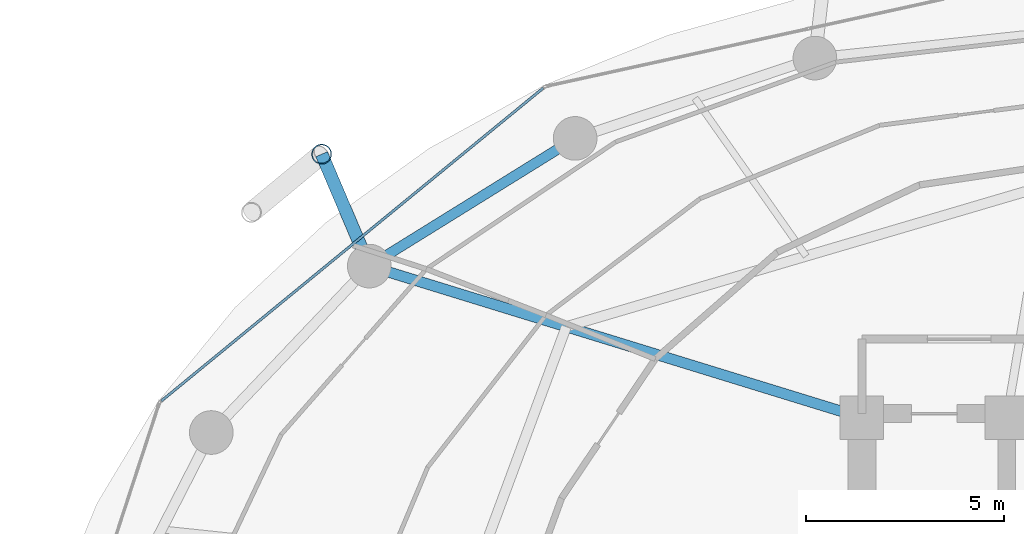
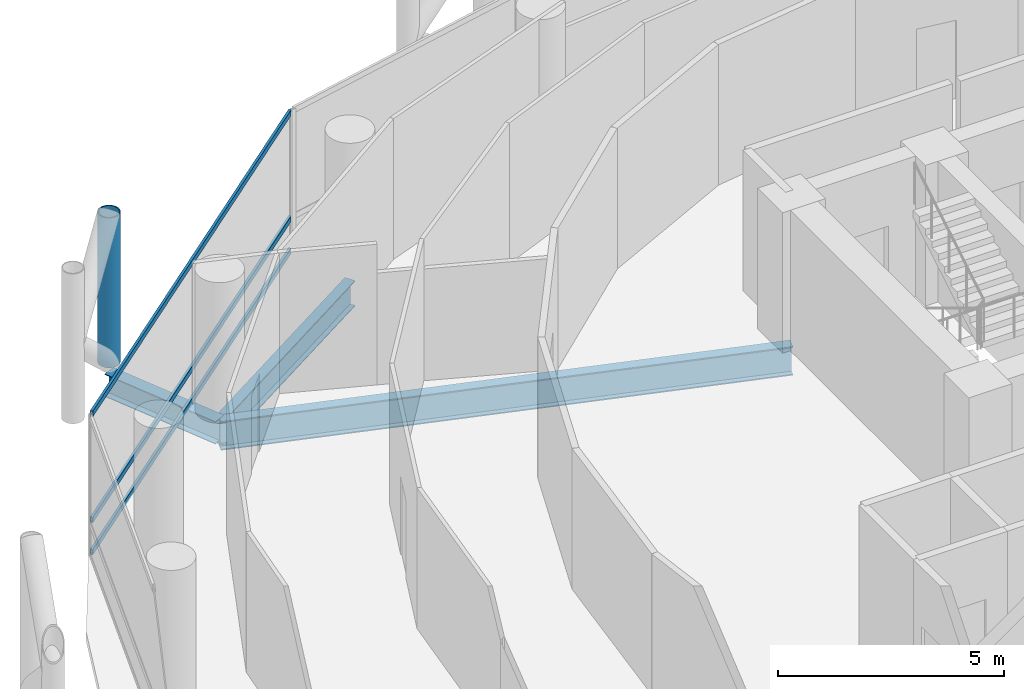
# One storey, part 14 of 26: 4 members, 3 beams, 1 element without a shape of its own.
"""IFC4 building model written with IfcOpenShell, lengths in metres."""

import ifcopenshell
import ifcopenshell.guid

model = None  # the IFC model being written
_history = None  # IfcOwnerHistory: only IFC2X3 demands one
_inside = {}  # id of a spatial element -> (the spatial element, [elements in it])
_under = {}  # id of a project, library or spatial element -> (it, [spatial elements below it])
_declared = {}  # id of a project -> (the project, [libraries it declares])
_typed = {}  # id of a type object -> (the type object, [elements of that type])
_made_of = {}  # id of a material, layer set ... -> (it, [elements and type objects made of it])


def new_model(schema):
    """Start an empty IFC model of exactly this schema.

    Asked for "IFC4X3", IfcOpenShell would pick the latest addendum, in which some entities
    have other attributes; the version numbers below select the first issue.
    IFC2X3 requires an IfcOwnerHistory on every rooted entity: one is made here for all.
    """
    global model, _history
    if schema == "IFC4X3":
        model = ifcopenshell.file(schema_version=(4, 3, 0, 0))
    else:
        model = ifcopenshell.file(schema=schema)
    _inside.clear()
    _under.clear()
    _declared.clear()
    _typed.clear()
    _made_of.clear()
    _history = None
    if model.schema == "IFC2X3":
        org = make("IfcOrganization", Name="unknown")
        user = make(
            "IfcPersonAndOrganization",
            ThePerson=make("IfcPerson", FamilyName="unknown"),
            TheOrganization=org,
        )
        app = make(
            "IfcApplication",
            ApplicationDeveloper=org,
            Version="unknown",
            ApplicationFullName="unknown",
            ApplicationIdentifier="unknown",
        )
        _history = make(
            "IfcOwnerHistory",
            OwningUser=user,
            OwningApplication=app,
            ChangeAction="ADDED",
            CreationDate=0,
        )
    return model


def make(cls, **values):
    """One entity of the class cls with the attributes given. An attribute that is None is left unset."""
    return model.create_entity(
        cls, **{name: value for name, value in values.items() if value is not None}
    )


def rooted(cls, **values):
    """An entity with a GlobalId (a new one), such as an element, a storey or a relation."""
    return make(cls, GlobalId=ifcopenshell.guid.new(), OwnerHistory=_history, **values)


def si_unit(unit_type, name, prefix=None):
    """IfcSIUnit, for example si_unit("LENGTHUNIT", "METRE", prefix="MILLI")."""
    return make("IfcSIUnit", UnitType=unit_type, Prefix=prefix, Name=name)


def assignment(units):
    """IfcUnitAssignment: the units of a project."""
    return None if units is None else make("IfcUnitAssignment", Units=units)


def point(xyz):
    """IfcCartesianPoint."""
    return None if xyz is None else make("IfcCartesianPoint", Coordinates=xyz)


def direction(xyz):
    """IfcDirection."""
    return None if xyz is None else make("IfcDirection", DirectionRatios=xyz)


def frame(location, z_axis=None, x_axis=None):
    """IfcAxis2Placement3D, a coordinate frame: its origin and axes. An axis left out is left unset."""
    return make(
        "IfcAxis2Placement3D",
        Location=point(location),
        Axis=direction(z_axis),
        RefDirection=direction(x_axis),
    )


def frame_2d(location, x_axis=None):
    """IfcAxis2Placement2D, a coordinate frame in the plane: its origin and x axis."""
    return make(
        "IfcAxis2Placement2D", Location=point(location), RefDirection=direction(x_axis)
    )


def origin():
    """The frame at (0, 0, 0) with its axes left unset."""
    return frame((0.0, 0.0, 0.0))


def origin_2d():
    """The frame at (0, 0) in the plane with its x axis left unset."""
    return frame_2d((0.0, 0.0))


def place(relative_to, where):
    """IfcLocalPlacement: puts the frame where relative to a parent placement (None: the world)."""
    return make(
        "IfcLocalPlacement", PlacementRelTo=relative_to, RelativePlacement=where
    )


def context(
    kind, dimensions, precision=None, world=None, true_north=None, identifier=None
):
    """IfcGeometricRepresentationContext, for example the 3D "Model" context."""
    return make(
        "IfcGeometricRepresentationContext",
        ContextIdentifier=identifier,
        ContextType=kind,
        CoordinateSpaceDimension=dimensions,
        Precision=precision,
        WorldCoordinateSystem=world,
        TrueNorth=true_north,
    )


def subcontext(parent, identifier, kind, view, scale=None):
    """IfcGeometricRepresentationSubContext, for example "Body" below "Model"."""
    return make(
        "IfcGeometricRepresentationSubContext",
        ContextIdentifier=identifier,
        ContextType=kind,
        ParentContext=parent,
        TargetScale=scale,
        TargetView=view,
    )


def project(units=None, contexts=None):
    """IfcProject with its units and contexts."""
    return rooted(
        "IfcProject",
        Name="project",
        RepresentationContexts=contexts,
        UnitsInContext=assignment(units),
    )


def spatial(cls, under=None, at=None, **own):
    """A site, building, storey or space (cls), placed at a placement, below another one or the project."""
    s = rooted(cls, ObjectPlacement=at, **own)
    if under is not None:
        _under.setdefault(under.id(), (under, []))[1].append(s)
    return s


def profile(cls, at=None, kind="AREA", **sizes):
    """A parametric profile (cls). Its sizes go by their IFC names, for example OverallWidth=200.0."""
    return make(cls, ProfileType=kind, Position=at, **sizes)


def hollow_rectangle(**sizes):
    """IfcRectangleHollowProfileDef."""
    return profile("IfcRectangleHollowProfileDef", **sizes)


def hollow_circle(**sizes):
    """IfcCircleHollowProfileDef."""
    return profile("IfcCircleHollowProfileDef", **sizes)


def i_section(**sizes):
    """IfcIShapeProfileDef."""
    return profile("IfcIShapeProfileDef", **sizes)


def extrude(swept, where, along, depth):
    """IfcExtrudedAreaSolid: the profile swept, set in the frame where, extruded along a direction by depth."""
    return make(
        "IfcExtrudedAreaSolid",
        SweptArea=swept,
        Position=where,
        ExtrudedDirection=direction(along),
        Depth=depth,
    )


def shape(context_of_items, identifier, shape_type, items):
    """IfcShapeRepresentation: the items that make up one representation, for example the "Body"."""
    return make(
        "IfcShapeRepresentation",
        ContextOfItems=context_of_items,
        RepresentationIdentifier=identifier,
        RepresentationType=shape_type,
        Items=items,
    )


def material(Name=None, Category=None):
    """IfcMaterial."""
    return make("IfcMaterial", Name=Name, Category=Category)


def layer(
    of_material, thickness, ventilated=None, Name=None, Category=None, Priority=None
):
    """IfcMaterialLayer: one layer of a wall or slab, of a material (None: an air gap)."""
    return make(
        "IfcMaterialLayer",
        Material=of_material,
        LayerThickness=thickness,
        IsVentilated=ventilated,
        Name=Name,
        Category=Category,
        Priority=Priority,
    )


def layer_set(layers, Name=None):
    """IfcMaterialLayerSet."""
    return make("IfcMaterialLayerSet", MaterialLayers=layers, LayerSetName=Name)


def material_profile(
    of_material, cross_section, Name=None, Category=None, Priority=None
):
    """IfcMaterialProfile: a cross section and its material."""
    return make(
        "IfcMaterialProfile",
        Name=Name,
        Material=of_material,
        Profile=cross_section,
        Priority=Priority,
        Category=Category,
    )


def profile_set(profiles, Name=None, composite=None):
    """IfcMaterialProfileSet."""
    return make(
        "IfcMaterialProfileSet",
        Name=Name,
        MaterialProfiles=profiles,
        CompositeProfile=composite,
    )


def made_of(thing, what):
    """Note that an element or type object is made of a material, layer set ...; save() writes the relation."""
    if what is not None:
        _made_of.setdefault(what.id(), (what, []))[1].append(thing)
    return thing


def type_object(cls, material=None, **own):
    """A type object (cls), such as IfcWallType, which elements share."""
    return made_of(rooted(cls, **own), material)


def element(
    cls,
    number,
    at=None,
    inside=None,
    cuts=None,
    type_object=None,
    material=None,
    context=None,
    identifier="Body",
    shape_type=None,
    held_by="IfcProductDefinitionShape",
    body=None,
    shapes=None,
    **own,
):
    """One element of the class cls, such as IfcWall. Its Tag is "e" and its number.

    at: its placement. inside: the storey or other place that contains it. cuts: it is an
    opening in that element (IfcRelVoidsElement). A single representation is given by context,
    identifier, shape_type and body (its items); several are given by shapes. held_by: the class
    of the entity that holds the representations. save() writes the other relations.
    """
    e = rooted(cls, Tag="e%d" % number, ObjectPlacement=at, **own)
    if body is not None:
        shapes = [shape(context, identifier, shape_type, body)]
    if shapes is not None:
        e.Representation = make(held_by, Representations=shapes)
    if inside is not None:
        _inside.setdefault(inside.id(), (inside, []))[1].append(e)
    if cuts is not None:
        rooted(
            "IfcRelVoidsElement", RelatingBuildingElement=cuts, RelatedOpeningElement=e
        )
    if type_object is not None:
        _typed.setdefault(type_object.id(), (type_object, []))[1].append(e)
    return made_of(e, material)


def aggregate(whole, parts):
    """IfcRelAggregates: a whole, such as a stair, and the parts it consists of."""
    return rooted("IfcRelAggregates", RelatingObject=whole, RelatedObjects=parts)


def save(model, path):
    """Write the relations noted so far, then the file.

    IfcRelAggregates (storeys below a building ...), IfcRelContainedInSpatialStructure (elements
    in a storey), IfcRelDefinesByType, IfcRelAssociatesMaterial and IfcRelDeclares: one each for
    every whole, place, type object, material and project.
    """
    for whole, parts in _under.values():
        aggregate(whole, parts)
    for where, things in _inside.values():
        rooted(
            "IfcRelContainedInSpatialStructure",
            RelatedElements=things,
            RelatingStructure=where,
        )
    for kind, things in _typed.values():
        rooted("IfcRelDefinesByType", RelatedObjects=things, RelatingType=kind)
    for what, things in _made_of.values():
        rooted("IfcRelAssociatesMaterial", RelatedObjects=things, RelatingMaterial=what)
    for by, libraries in _declared.values():
        rooted("IfcRelDeclares", RelatingContext=by, RelatedDefinitions=libraries)
    model.write(path)


model = new_model("IFC4")

# Units and contexts
model_context = context("Model", 3, precision=1e-05, world=origin(), true_north=direction((0.0, 1.0)))
body_context = subcontext(model_context, "Body", "Model", "MODEL_VIEW")
ifc_project = project(units=[si_unit("LENGTHUNIT", "METRE"), si_unit("AREAUNIT", "SQUARE_METRE"), si_unit("VOLUMEUNIT", "CUBIC_METRE"), si_unit("PLANEANGLEUNIT", "RADIAN"), si_unit("MASSUNIT", "GRAM", prefix="KILO")], contexts=[model_context])

# Site, building, storey
site_placement = place(None, origin())
site = spatial("IfcSite", under=ifc_project, at=site_placement, CompositionType="ELEMENT")
building_placement = place(site_placement, origin())
building = spatial("IfcBuilding", under=site, at=building_placement, Name="Nuhasar Tower", CompositionType="ELEMENT")
storey_placement = place(building_placement, frame((0.0, 0.0, 93.89990234375)))
storey = spatial("IfcBuildingStorey", under=building, at=storey_placement, Name="L22", CompositionType="ELEMENT", Elevation=93.89990234375)

# Beams
ifc_material_1 = material(Name="Steel S355", Category="steel")
ifc_material_profile_1 = material_profile(ifc_material_1, i_section(OverallWidth=0.26611328125, OverallDepth=0.779052734375, WebThickness=0.0166015625, FlangeThickness=0.030029296875, at=origin_2d()), Name="W30X148")
ifc_profile_set_1 = profile_set([ifc_material_profile_1], Name="Steel S355")
beam_type_1 = type_object("IfcBeamType", Name="BM-RAD-W30X148", PredefinedType="BEAM", material=ifc_profile_set_1)
beam_1_placement = place(storey_placement, frame((33.699951171875, 37.300048828125, -0.638916015625), z_axis=(-0.955789576103, 0.294051502653, 0.0), x_axis=(-0.294051502653, -0.955789576103, 0.0)))
element("IfcBeam", 1, at=beam_1_placement, inside=storey, type_object=beam_type_1, Name="L22 Radial Floor Girder 07", PredefinedType="BEAM", context=body_context, shape_type="SweptSolid", body=[
    extrude(i_section(OverallWidth=0.26611328125, OverallDepth=0.779052734375, WebThickness=0.0166015625, FlangeThickness=0.030029296875, at=origin_2d()), origin(), (0.0, 0.0, 1.0), 12.987060546875),
])
ifc_material_profile_2 = material_profile(ifc_material_1, i_section(OverallWidth=0.256103515625, OverallDepth=0.693115234375, WebThickness=0.014404296875, FlangeThickness=0.023681640625, at=origin_2d()), Name="W27X114")
ifc_profile_set_2 = profile_set([ifc_material_profile_2], Name="Steel S355")
beam_type_2 = type_object("IfcBeamType", Name="BM-RING-W27X114", PredefinedType="SPANDREL", material=ifc_profile_set_2)
beam_2_placement = place(storey_placement, frame((26.47509765625, 44.3369140625, -0.596923828125), z_axis=(-0.849795216549, -0.527112976439, 0.0), x_axis=(0.527112976439, -0.849795216549, 0.0)))
element("IfcBeam", 2, at=beam_2_placement, inside=storey, type_object=beam_type_2, Name="L22 Perimeter Ring Spandrel 09", PredefinedType="SPANDREL", context=body_context, shape_type="SweptSolid", body=[
    extrude(i_section(OverallWidth=0.256103515625, OverallDepth=0.693115234375, WebThickness=0.014404296875, FlangeThickness=0.023681640625, at=origin_2d()), origin(), (0.0, 0.0, 1.0), 6.10498046875),
])
ifc_material_profile_3 = material_profile(ifc_material_1, i_section(OverallWidth=0.323974609375, OverallDepth=0.611083984375, WebThickness=0.0126953125, FlangeThickness=0.01904296875, at=origin_2d()), Name="W24X104")
ifc_profile_set_3 = profile_set([ifc_material_profile_3], Name="Steel S355")
beam_type_3 = type_object("IfcBeamType", Name="BM-TIE-W24X104", PredefinedType="BEAM", material=ifc_profile_set_3)
beam_3_placement = place(storey_placement, frame((21.287109375, 41.118896484375, -0.554931640625), z_axis=(-0.391601084021, 0.920135093882, 0.0), x_axis=(-0.920135093882, -0.391601084021, 0.0)))
element("IfcBeam", 3, at=beam_3_placement, inside=storey, type_object=beam_type_3, Name="L22 Exoskeleton Node Tie Beam 05", PredefinedType="BEAM", context=body_context, shape_type="SweptSolid", body=[
    extrude(i_section(OverallWidth=0.323974609375, OverallDepth=0.611083984375, WebThickness=0.0126953125, FlangeThickness=0.01904296875, at=origin_2d()), origin(), (0.0, 0.0, 1.0), 3.06494140625),
])

# Curtain wall, members
ifc_material_2 = material(Name="Aluminium 6063-T6", Category="aluminium")
ifc_layer = layer(ifc_material_2, 0.199951171875)
ifc_layer_set = layer_set([ifc_layer], Name="Aluminium 6063-T6")
curtain_wall_type = type_object("IfcCurtainWallType", Name="CW-Z1-OFF", PredefinedType="NOTDEFINED", material=ifc_layer_set)
curtain_wall_placement = place(storey_placement, origin())
curtain_wall = element("IfcCurtainWall", 4, at=curtain_wall_placement, inside=storey, type_object=curtain_wall_type, Name="L22 Unitised Curtain Wall 05", PredefinedType="NOTDEFINED")
ifc_material_profile_4 = material_profile(ifc_material_2, hollow_rectangle(XDim=0.06494140625, YDim=0.14990234375, WallThickness=0.00439453125, at=origin_2d()), Name="CWT-2")
ifc_profile_set_4 = profile_set([ifc_material_profile_4], Name="Aluminium 6063-T6")
member_type_1 = type_object("IfcMemberType", Name="CW-TRN-S2", PredefinedType="USERDEFINED", material=ifc_profile_set_4)
member_1_placement = place(storey_placement, frame((25.669677734375, 45.603759765625, 0.03271484375), z_axis=(-0.773540851599, -0.633746440548, 0.0), x_axis=(0.633746440548, -0.773540851599, 0.0)))
member_1 = element("IfcMember", 5, at=member_1_placement, type_object=member_type_1, Name="CW-Z1 transom 1.1", ObjectType="TRANSOM", PredefinedType="USERDEFINED", context=body_context, shape_type="SweptSolid", body=[
    extrude(hollow_rectangle(XDim=0.06494140625, YDim=0.14990234375, WallThickness=0.00439453125, at=origin_2d()), origin(), (0.0, 0.0, 1.0), 12.43798828125),
])
member_2_placement = place(storey_placement, frame((25.669677734375, 45.603759765625, 0.900146484375), z_axis=(-0.773540851599, -0.633746440548, 0.0), x_axis=(0.633746440548, -0.773540851599, 0.0)))
member_2 = element("IfcMember", 6, at=member_2_placement, type_object=member_type_1, Name="CW-Z1 transom 1.2", ObjectType="TRANSOM", PredefinedType="USERDEFINED", context=body_context, shape_type="SweptSolid", body=[
    extrude(hollow_rectangle(XDim=0.06494140625, YDim=0.14990234375, WallThickness=0.00439453125, at=origin_2d()), origin(), (0.0, 0.0, 1.0), 12.43798828125),
])
member_3_placement = place(storey_placement, frame((25.669677734375, 45.603759765625, 3.767578125), z_axis=(-0.773540851599, -0.633746440548, 0.0), x_axis=(0.633746440548, -0.773540851599, 0.0)))
member_3 = element("IfcMember", 7, at=member_3_placement, type_object=member_type_1, Name="CW-Z1 transom 1.3", ObjectType="TRANSOM", PredefinedType="USERDEFINED", context=body_context, shape_type="SweptSolid", body=[
    extrude(hollow_rectangle(XDim=0.06494140625, YDim=0.14990234375, WallThickness=0.00439453125, at=origin_2d()), origin(), (0.0, 0.0, 1.0), 12.43798828125),
])
aggregate(curtain_wall, [member_1, member_2, member_3])

# Member
ifc_material_3 = material(Name="Steel S460", Category="steel")
ifc_material_profile_5 = material_profile(ifc_material_3, hollow_circle(Radius=0.25390625, WallThickness=0.025390625, at=origin_2d()), Name="HSS508X25.4")
ifc_profile_set_5 = profile_set([ifc_material_profile_5], Name="Steel S460")
member_type_2 = type_object("IfcMemberType", Name="EXO-BRONZE-508", PredefinedType="BRACE", material=ifc_profile_set_5)
member_4_placement = place(storey_placement, frame((20.0869140625, 43.93896484375, 0.0), z_axis=(0.0, 0.0, 1.0), x_axis=(1.0, 0.0, 0.0)))
element("IfcMember", 8, at=member_4_placement, inside=storey, type_object=member_type_2, Name="L22 Exoskeleton Chord Column EC-05A", PredefinedType="BRACE", context=body_context, shape_type="SweptSolid", body=[
    extrude(hollow_circle(Radius=0.25390625, WallThickness=0.025390625, at=origin_2d()), origin(), (0.0, 0.0, 1.0), 4.050048828125),
])

save(model, "model.ifc")
